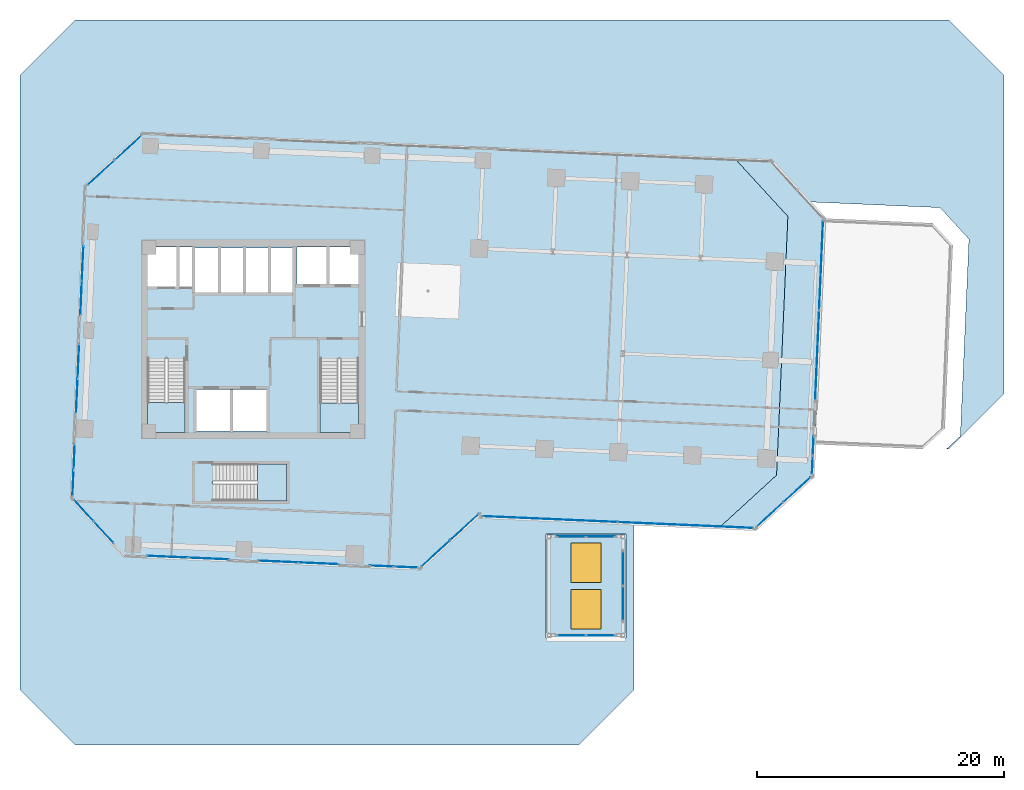
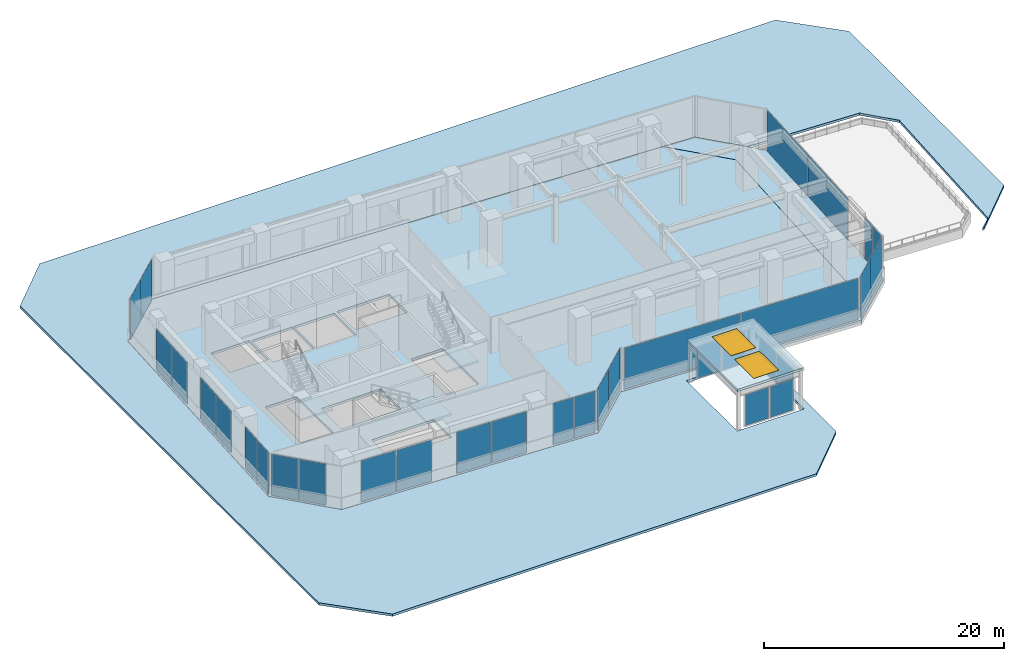
# One storey, part 25 of 33: 32 plates, 7 slabs, 2 windows, 2 openings, 19 elements without a shape of their own.
"""IFC4 building model written with IfcOpenShell, lengths in metres."""

from ifc_helpers import new_model, si_unit, direction, frame, origin, origin_2d, place, context, subcontext, project, spatial, polyline, rectangle, outline, extrude, source, transform, mapped, material, layer, layer_set, type_object, element, fill, aggregate, save


model = new_model("IFC4")

# Units and contexts
model_context = context("Model", 3, precision=1e-05, world=origin(), true_north=direction((0.0, 1.0)))
body_context = subcontext(model_context, "Body", "Model", "MODEL_VIEW")
ifc_project = project(units=[si_unit("LENGTHUNIT", "METRE"), si_unit("AREAUNIT", "SQUARE_METRE"), si_unit("VOLUMEUNIT", "CUBIC_METRE"), si_unit("PLANEANGLEUNIT", "RADIAN"), si_unit("MASSUNIT", "GRAM", prefix="KILO")], contexts=[model_context])

# Site, building, storey
site_placement = place(None, origin())
site = spatial("IfcSite", under=ifc_project, at=site_placement, CompositionType="ELEMENT")
building_placement = place(site_placement, origin())
building = spatial("IfcBuilding", under=site, at=building_placement, Name="Torre Montelarca", CompositionType="ELEMENT")
storey_placement = place(building_placement, frame((0.0, 0.0, 32.800048828125)))
storey = spatial("IfcBuildingStorey", under=building, at=storey_placement, Name="L07", CompositionType="ELEMENT", Elevation=32.800048828125)

# Slabs
ifc_material_1 = material(Name="Concrete C40/50", Category="concrete")
ifc_layer_1 = layer(ifc_material_1, 0.239990234375, Name="Concrete C40/50", Category="concrete")
ifc_layer_set_1 = layer_set([ifc_layer_1], Name="Concrete C40/50")
slab_type_1 = type_object("IfcSlabType", Name="SL-FLR-240", PredefinedType="FLOOR", material=ifc_layer_set_1)
slab_1_placement = place(storey_placement, frame((0.0, 0.0, -0.239990234375)))
element("IfcSlab", 1, at=slab_1_placement, inside=storey, type_object=slab_type_1, Name="L07 Structural Floor Slab", PredefinedType="FLOOR", context=body_context, shape_type="SweptSolid", body=[
    extrude(outline(polyline([(31.595703125, 13.341796875), (36.287841796875, 17.641357421875), (36.283447265625, 17.54150390625), (55.764892578125, 16.69091796875), (60.456787109375, 20.990234375), (61.372802734375, 41.97021484375), (57.073486328125, 46.662353515625), (9.019287109375, 48.760498046875), (4.3271484375, 44.4609375), (3.21923828125, 19.085205078125), (7.518798828125, 14.39306640625), (31.595703125, 13.341796875)]), holes=[polyline([(20.699951171875, 18.89990234375), (14.760009765625, 18.89990234375), (14.760009765625, 21.889892578125), (20.699951171875, 21.889892578125), (20.699951171875, 18.89990234375)]), polyline([(19.10009765625, 24.550048828125), (13.39990234375, 24.550048828125), (13.39990234375, 27.949951171875), (19.10009765625, 27.949951171875), (19.10009765625, 24.550048828125)]), polyline([(23.43994140625, 24.449951171875), (23.43994140625, 30.429931640625), (26.550048828125, 30.429931640625), (26.550048828125, 24.449951171875), (23.43994140625, 24.449951171875)]), polyline([(9.449951171875, 24.449951171875), (9.449951171875, 30.4599609375), (12.5, 30.4599609375), (12.5, 24.449951171875), (9.449951171875, 24.449951171875)]), polyline([(17.25, 35.800048828125), (13.300048828125, 35.800048828125), (13.300048828125, 39.39990234375), (17.25, 39.39990234375), (17.25, 35.800048828125)]), polyline([(21.25, 35.800048828125), (17.39990234375, 35.800048828125), (17.39990234375, 39.39990234375), (21.25, 39.39990234375), (21.25, 35.800048828125)]), polyline([(13.1201171875, 36.300048828125), (9.449951171875, 36.300048828125), (9.449951171875, 39.5), (13.1201171875, 39.5), (13.1201171875, 36.300048828125)]), polyline([(26.60009765625, 36.449951171875), (21.550048828125, 36.449951171875), (21.550048828125, 39.5), (26.60009765625, 39.5), (26.60009765625, 36.449951171875)])]), origin(), (0.0, 0.0, 1.0), 0.239990234375),
])
slab_2_placement = place(storey_placement, frame((0.0, 0.0, -0.239990234375)))
element("IfcSlab", 2, at=slab_2_placement, inside=storey, type_object=slab_type_1, Name="L07 Sliding Tray Winter Garden Floor Slab E1", PredefinedType="FLOOR", context=body_context, shape_type="SweptSolid", body=[
    extrude(outline(polyline([(57.073486328125, 46.662353515625), (61.372802734375, 41.97021484375), (60.456787109375, 20.990234375), (55.764892578125, 16.69091796875), (58.761962890625, 16.56005859375), (63.4541015625, 20.859375), (64.3701171875, 41.83935546875), (60.070556640625, 46.531494140625), (57.073486328125, 46.662353515625)])), origin(), (0.0, 0.0, 1.0), 0.239990234375),
])

# Slab, openings, windows
ifc_layer_2 = layer(ifc_material_1, 0.260009765625, Name="Concrete C40/50", Category="concrete")
ifc_layer_set_2 = layer_set([ifc_layer_2], Name="Concrete C40/50")
slab_type_2 = type_object("IfcSlabType", Name="SL-ROOF-260", PredefinedType="ROOF", material=ifc_layer_set_2)
slab_3_placement = place(storey_placement, frame((0.0, 0.0, 3.93994140625)))
slab_3 = element("IfcSlab", 3, at=slab_3_placement, inside=storey, type_object=slab_type_2, Name="L07 Exchange Trading Hall Atrium Lantern Roof Slab", PredefinedType="ROOF", context=body_context, shape_type="SweptSolid", body=[
    extrude(outline(polyline([(41.800048828125, 7.800048828125), (48.199951171875, 7.800048828125), (48.199951171875, 16.199951171875), (41.800048828125, 16.199951171875), (41.800048828125, 7.800048828125)])), origin(), (0.0, 0.0, 1.0), 0.260009765625),
])
opening_1_placement = place(slab_3_placement, frame((45.0, 10.10009765625, -0.010009765625)))
opening_1 = element("IfcOpeningElement", 4, at=opening_1_placement, cuts=slab_3, Name="Opening SK-01", PredefinedType="OPENING", context=body_context, shape_type="SweptSolid", body=[
    extrude(rectangle(XDim=2.39990234375, YDim=3.199951171875, at=origin_2d()), origin(), (0.0, 0.0, 1.0), 0.280029296875),
])
opening_2_placement = place(slab_3_placement, frame((45.0, 13.89990234375, -0.010009765625)))
opening_2 = element("IfcOpeningElement", 5, at=opening_2_placement, cuts=slab_3, Name="Opening SK-01", PredefinedType="OPENING", context=body_context, shape_type="SweptSolid", body=[
    extrude(rectangle(XDim=2.39990234375, YDim=3.199951171875, at=origin_2d()), origin(), (0.0, 0.0, 1.0), 0.280029296875),
])
ifc_material_2 = material(Name="Insulated low-E laminated glass in aluminium frame", Category="aluminium")
window_type = type_object("IfcWindowType", Name="WIN-SK1", PartitioningType="SINGLE_PANEL", PredefinedType="SKYLIGHT", material=ifc_material_2)
window_1_placement = place(slab_3_placement, frame((45.0, 10.10009765625, 0.2099609375)))
window_1 = element("IfcWindow", 6, at=window_1_placement, inside=storey, type_object=window_type, Name="Podium Exchange Atrium Skylight 01", OverallHeight=3.199951171875, OverallWidth=2.39990234375, PartitioningType="SINGLE_PANEL", PredefinedType="SKYLIGHT", context=body_context, shape_type="SweptSolid", body=[
    extrude(rectangle(XDim=2.39990234375, YDim=3.199951171875, at=origin_2d()), origin(), (0.0, 0.0, 1.0), 0.050048828125),
])
fill(opening_1, window_1)
window_2_placement = place(slab_3_placement, frame((45.0, 13.89990234375, 0.2099609375)))
window_2 = element("IfcWindow", 7, at=window_2_placement, inside=storey, type_object=window_type, Name="Podium Exchange Atrium Skylight 02", OverallHeight=3.199951171875, OverallWidth=2.39990234375, PartitioningType="SINGLE_PANEL", PredefinedType="SKYLIGHT", context=body_context, shape_type="SweptSolid", body=[
    extrude(rectangle(XDim=2.39990234375, YDim=3.199951171875, at=origin_2d()), origin(), (0.0, 0.0, 1.0), 0.050048828125),
])
fill(opening_2, window_2)

# Slab
ifc_material_3 = material(Name="Architectural concrete C40/50", Category="concrete")
ifc_layer_3 = layer(ifc_material_3, 0.239990234375, Name="Architectural concrete C40/50", Category="concrete")
ifc_layer_set_3 = layer_set([ifc_layer_3], Name="Architectural concrete C40/50")
slab_type_3 = type_object("IfcSlabType", Name="SL-ROOF-EXT-240", PredefinedType="ROOF", material=ifc_layer_set_3)
slab_4_placement = place(storey_placement, frame((0.0, 0.0, -0.239990234375)))
element("IfcSlab", 8, at=slab_4_placement, inside=storey, type_object=slab_type_3, Name="L06 Setback and Tray Overhang Roof Cap Slab 01", PredefinedType="ROOF", context=body_context, shape_type="SweptSolid", body=[
    extrude(outline(polyline([(36.275146484375, 17.53369140625), (36.279052734375, 17.622314453125), (31.598876953125, 13.333740234375), (7.514892578125, 14.38525390625), (3.211181640625, 19.08203125), (4.3193359375, 44.464599609375), (9.01611328125, 48.7685546875), (60.07421875, 46.539306640625), (63.18701171875, 43.142333984375), (73.71630859375, 42.6826171875), (76.056396484375, 40.128662109375), (75.3583984375, 24.142578125), (74.220703125, 23.10009765625), (74.39990234375, 23.10009765625), (78.89990234375, 27.60009765625), (78.89990234375, 53.39990234375), (74.39990234375, 57.89990234375), (3.60009765625, 57.89990234375), (-0.89990234375, 53.39990234375), (-0.89990234375, 3.60009765625), (3.60009765625, -0.89990234375), (44.39990234375, -0.89990234375), (48.89990234375, 3.60009765625), (48.89990234375, 16.982666015625), (36.275146484375, 17.53369140625)]), holes=[polyline([(41.77490234375, 7.77490234375), (41.77490234375, 16.22509765625), (48.22509765625, 16.22509765625), (48.22509765625, 7.77490234375), (41.77490234375, 7.77490234375)])]), origin(), (0.0, 0.0, 1.0), 0.239990234375),
])

# Stair, slab
stair_type_1 = type_object("IfcStairType", Name="ST-CORE-ST1", PredefinedType="HALF_TURN_STAIR", material=ifc_material_1)
stair_1_placement = place(storey_placement, origin())
stair_1 = element("IfcStair", 9, at=stair_1_placement, inside=storey, type_object=stair_type_1, Name="L07 Protected Exit Stair ST1", PredefinedType="HALF_TURN_STAIR")
ifc_layer_4 = layer(ifc_material_1, 0.199951171875, Name="Concrete C40/50", Category="concrete")
ifc_layer_set_4 = layer_set([ifc_layer_4], Name="Concrete C40/50")
slab_type_4 = type_object("IfcSlabType", Name="SL-ST-LAND-ST1", PredefinedType="LANDING", material=ifc_layer_set_4)
slab_5_placement = place(storey_placement, frame((0.0, 0.0, 2.199951171875)))
slab_5 = element("IfcSlab", 10, at=slab_5_placement, type_object=slab_type_4, Name="ST1 landing 1", PredefinedType="LANDING", context=body_context, shape_type="SweptSolid", body=[
    extrude(outline(polyline([(9.449951171875, 26.860107421875), (9.449951171875, 24.449951171875), (12.5, 24.449951171875), (12.5, 26.860107421875), (9.449951171875, 26.860107421875)])), origin(), (0.0, 0.0, 1.0), 0.199951171875),
])
aggregate(stair_1, [slab_5])

stair_type_2 = type_object("IfcStairType", Name="ST-CORE-ST2", PredefinedType="HALF_TURN_STAIR", material=ifc_material_1)
stair_2_placement = place(storey_placement, origin())
stair_2 = element("IfcStair", 11, at=stair_2_placement, inside=storey, type_object=stair_type_2, Name="L07 Protected Exit Stair ST2", PredefinedType="HALF_TURN_STAIR")
ifc_layer_5 = layer(ifc_material_1, 0.199951171875, Name="Concrete C40/50", Category="concrete")
ifc_layer_set_5 = layer_set([ifc_layer_5], Name="Concrete C40/50")
slab_type_5 = type_object("IfcSlabType", Name="SL-ST-LAND-ST2", PredefinedType="LANDING", material=ifc_layer_set_5)
slab_6_placement = place(storey_placement, frame((0.0, 0.0, 2.199951171875)))
slab_6 = element("IfcSlab", 12, at=slab_6_placement, type_object=slab_type_5, Name="ST2 landing 1", PredefinedType="LANDING", context=body_context, shape_type="SweptSolid", body=[
    extrude(outline(polyline([(23.43994140625, 26.830078125), (23.43994140625, 24.449951171875), (26.550048828125, 24.449951171875), (26.550048828125, 26.830078125), (23.43994140625, 26.830078125)])), origin(), (0.0, 0.0, 1.0), 0.199951171875),
])
aggregate(stair_2, [slab_6])

stair_type_3 = type_object("IfcStairType", Name="ST-CORE-ST3", PredefinedType="HALF_TURN_STAIR", material=ifc_material_1)
stair_3_placement = place(storey_placement, origin())
stair_3 = element("IfcStair", 13, at=stair_3_placement, inside=storey, type_object=stair_type_3, Name="L07 Low-Rise Exit Stair ST3", PredefinedType="HALF_TURN_STAIR")
ifc_layer_6 = layer(ifc_material_1, 0.199951171875, Name="Concrete C40/50", Category="concrete")
ifc_layer_set_6 = layer_set([ifc_layer_6], Name="Concrete C40/50")
slab_type_6 = type_object("IfcSlabType", Name="SL-ST-LAND-ST3", PredefinedType="LANDING", material=ifc_layer_set_6)
slab_7_placement = place(storey_placement, frame((0.0, 0.0, 2.199951171875)))
slab_7 = element("IfcSlab", 14, at=slab_7_placement, type_object=slab_type_6, Name="ST3 landing 1", PredefinedType="LANDING", context=body_context, shape_type="SweptSolid", body=[
    extrude(outline(polyline([(18.360107421875, 18.89990234375), (20.699951171875, 18.89990234375), (20.699951171875, 21.889892578125), (18.360107421875, 21.889892578125), (18.360107421875, 18.89990234375)])), origin(), (0.0, 0.0, 1.0), 0.199951171875),
])
aggregate(stair_3, [slab_7])

# Curtain wall, plates
ifc_material_4 = material(Name="Insulated low-E laminated glass", Category="glass")
curtain_wall_type_1 = type_object("IfcCurtainWallType", Name="CW-SYS-Z1", PredefinedType="USERDEFINED", material=ifc_material_4)
curtain_wall_1_placement = place(storey_placement, origin())
curtain_wall_1 = element("IfcCurtainWall", 15, at=curtain_wall_1_placement, inside=storey, type_object=curtain_wall_type_1, Name="L07 Curtain Wall Run CW-T3-L07-E01-B1", ObjectType="UNITISED GLAZING", PredefinedType="USERDEFINED")
ifc_layer_7 = layer(ifc_material_4, 0.028076171875, Name="Insulated low-E laminated glass", Category="glass")
ifc_layer_set_7 = layer_set([ifc_layer_7], Name="Insulated low-E laminated glass")
plate_type_1 = type_object("IfcPlateType", Name="CWP-GLZ-28", PredefinedType="CURTAIN_PANEL", material=ifc_layer_set_7)
shared_shape_1 = source(origin(), body_context, "Body", "SweptSolid", [
    extrude(rectangle(XDim=3.2724609375, YDim=0.028076171875, at=origin_2d()), origin(), (0.0, 0.0, 1.0), 4.18994140625),
])
plate_1_placement = place(storey_placement, frame((11.05224609375, 14.368896484375, 0.06494140625), z_axis=(0.0, 0.0, 1.0), x_axis=(0.999047544682, -0.043634888151, 0.0)))
plate_1 = element("IfcPlate", 16, at=plate_1_placement, type_object=plate_type_1, Name="CW panel 1.1", PredefinedType="CURTAIN_PANEL", context=body_context, shape_type="MappedRepresentation", body=[
    mapped(shared_shape_1, transform((0.0, 0.0, 0.0), scale=1.0)),
])
plate_2_placement = place(storey_placement, frame((14.386474609375, 14.223388671875, 0.06494140625), z_axis=(0.0, 0.0, 1.0), x_axis=(0.999047544682, -0.043634888151, 0.0)))
plate_2 = element("IfcPlate", 17, at=plate_2_placement, type_object=plate_type_1, Name="CW panel 2.1", PredefinedType="CURTAIN_PANEL", context=body_context, shape_type="MappedRepresentation", body=[
    mapped(shared_shape_1, transform((0.0, 0.0, 0.0), scale=1.0)),
])
aggregate(curtain_wall_1, [plate_1, plate_2])

curtain_wall_2_placement = place(storey_placement, origin())
curtain_wall_2 = element("IfcCurtainWall", 18, at=curtain_wall_2_placement, inside=storey, type_object=curtain_wall_type_1, Name="L07 Curtain Wall Run CW-T3-L07-E01-B2", ObjectType="UNITISED GLAZING", PredefinedType="USERDEFINED")
shared_shape_2 = source(origin(), body_context, "Body", "SweptSolid", [
    extrude(rectangle(XDim=3.23486328125, YDim=0.028076171875, at=origin_2d()), origin(), (0.0, 0.0, 1.0), 4.18994140625),
])
plate_3_placement = place(storey_placement, frame((20.02490234375, 13.977294921875, 0.06494140625), z_axis=(0.0, 0.0, 1.0), x_axis=(0.999047703375, -0.043631254645, 0.0)))
plate_3 = element("IfcPlate", 19, at=plate_3_placement, type_object=plate_type_1, Name="CW panel 1.1", PredefinedType="CURTAIN_PANEL", context=body_context, shape_type="MappedRepresentation", body=[
    mapped(shared_shape_2, transform((0.0, 0.0, 0.0), scale=1.0)),
])
plate_4_placement = place(storey_placement, frame((23.32177734375, 13.833251953125, 0.06494140625), z_axis=(0.0, 0.0, 1.0), x_axis=(0.999047703375, -0.043631254645, 0.0)))
plate_4 = element("IfcPlate", 20, at=plate_4_placement, type_object=plate_type_1, Name="CW panel 2.1", PredefinedType="CURTAIN_PANEL", context=body_context, shape_type="MappedRepresentation", body=[
    mapped(shared_shape_2, transform((0.0, 0.0, 0.0), scale=1.0)),
])
aggregate(curtain_wall_2, [plate_3, plate_4])

curtain_wall_3_placement = place(storey_placement, origin())
curtain_wall_3 = element("IfcCurtainWall", 21, at=curtain_wall_3_placement, inside=storey, type_object=curtain_wall_type_1, Name="L07 Curtain Wall Run CW-T3-L07-E01-B3", ObjectType="UNITISED GLAZING", PredefinedType="USERDEFINED")
shared_shape_3 = source(origin(), body_context, "Body", "SweptSolid", [
    extrude(rectangle(XDim=1.917236328125, YDim=0.028076171875, at=origin_2d()), origin(), (0.0, 0.0, 1.0), 4.18994140625),
])
plate_5_placement = place(storey_placement, frame((28.43310546875, 13.610107421875, 0.06494140625), z_axis=(0.0, 0.0, 1.0), x_axis=(0.999048792113, -0.043606318081, 0.0)))
plate_5 = element("IfcPlate", 22, at=plate_5_placement, type_object=plate_type_1, Name="CW panel 1.1", PredefinedType="CURTAIN_PANEL", context=body_context, shape_type="MappedRepresentation", body=[
    mapped(shared_shape_3, transform((0.0, 0.0, 0.0), scale=1.0)),
])
plate_6_placement = place(storey_placement, frame((30.413330078125, 13.523681640625, 0.06494140625), z_axis=(0.0, 0.0, 1.0), x_axis=(0.999048792113, -0.043606318081, 0.0)))
plate_6 = element("IfcPlate", 23, at=plate_6_placement, type_object=plate_type_1, Name="CW panel 2.1", PredefinedType="CURTAIN_PANEL", context=body_context, shape_type="MappedRepresentation", body=[
    mapped(shared_shape_3, transform((0.0, 0.0, 0.0), scale=1.0)),
])
aggregate(curtain_wall_3, [plate_5, plate_6])

curtain_wall_4_placement = place(storey_placement, origin())
curtain_wall_4 = element("IfcCurtainWall", 24, at=curtain_wall_4_placement, inside=storey, type_object=curtain_wall_type_1, Name="L07 Curtain Wall Run CW-T3-L07-E02-B1", ObjectType="UNITISED GLAZING", PredefinedType="USERDEFINED")
shared_shape_4 = source(origin(), body_context, "Body", "SweptSolid", [
    extrude(rectangle(XDim=3.1025390625, YDim=0.028076171875, at=origin_2d()), origin(), (0.0, 0.0, 1.0), 4.18994140625),
])
plate_7_placement = place(storey_placement, frame((32.82177734375, 14.641845703125, 0.06494140625), z_axis=(0.0, 0.0, 1.0), x_axis=(0.737291621042, 0.675574618781, 0.0)))
plate_7 = element("IfcPlate", 25, at=plate_7_placement, type_object=plate_type_1, Name="CW panel 1.1", PredefinedType="CURTAIN_PANEL", context=body_context, shape_type="MappedRepresentation", body=[
    mapped(shared_shape_4, transform((0.0, 0.0, 0.0), scale=1.0)),
])
plate_8_placement = place(storey_placement, frame((35.1572265625, 16.78173828125, 0.06494140625), z_axis=(0.0, 0.0, 1.0), x_axis=(0.737291621042, 0.675574618781, 0.0)))
plate_8 = element("IfcPlate", 26, at=plate_8_placement, type_object=plate_type_1, Name="CW panel 2.1", PredefinedType="CURTAIN_PANEL", context=body_context, shape_type="MappedRepresentation", body=[
    mapped(shared_shape_4, transform((0.0, 0.0, 0.0), scale=1.0)),
])
aggregate(curtain_wall_4, [plate_7, plate_8])

curtain_wall_5_placement = place(storey_placement, origin())
curtain_wall_5 = element("IfcCurtainWall", 27, at=curtain_wall_5_placement, inside=storey, type_object=curtain_wall_type_1, Name="L07 Curtain Wall Run CW-T3-L07-E04-B1", ObjectType="UNITISED GLAZING", PredefinedType="USERDEFINED")
shared_shape_5 = source(origin(), body_context, "Body", "SweptSolid", [
    extrude(rectangle(XDim=10.948486328125, YDim=0.028076171875, at=origin_2d()), origin(), (0.0, 0.0, 1.0), 4.18994140625),
])
plate_9_placement = place(storey_placement, frame((42.06494140625, 17.419189453125, 0.06494140625), z_axis=(0.0, 0.0, 1.0), x_axis=(0.999048310418, -0.043617352644, 0.0)))
plate_9 = element("IfcPlate", 28, at=plate_9_placement, type_object=plate_type_1, Name="CW panel 1.1", PredefinedType="CURTAIN_PANEL", context=body_context, shape_type="MappedRepresentation", body=[
    mapped(shared_shape_5, transform((0.0, 0.0, 0.0), scale=1.0)),
])
plate_10_placement = place(storey_placement, frame((53.06787109375, 16.938720703125, 0.06494140625), z_axis=(0.0, 0.0, 1.0), x_axis=(0.999048310418, -0.043617352644, 0.0)))
plate_10 = element("IfcPlate", 29, at=plate_10_placement, type_object=plate_type_1, Name="CW panel 2.1", PredefinedType="CURTAIN_PANEL", context=body_context, shape_type="MappedRepresentation", body=[
    mapped(shared_shape_5, transform((0.0, 0.0, 0.0), scale=1.0)),
])
aggregate(curtain_wall_5, [plate_9, plate_10])

curtain_wall_6_placement = place(storey_placement, origin())
curtain_wall_6 = element("IfcCurtainWall", 30, at=curtain_wall_6_placement, inside=storey, type_object=curtain_wall_type_1, Name="L07 Curtain Wall Run CW-T3-L07-E05-B1", ObjectType="UNITISED GLAZING", PredefinedType="USERDEFINED")
shared_shape_6 = source(origin(), body_context, "Body", "SweptSolid", [
    extrude(rectangle(XDim=2.918701171875, YDim=0.028076171875, at=origin_2d()), origin(), (0.0, 0.0, 1.0), 4.18994140625),
])
plate_11_placement = place(storey_placement, frame((59.920166015625, 17.797607421875, 0.06494140625), z_axis=(0.0, 0.0, 1.0), x_axis=(0.737291747736, 0.675574480513, 0.0)))
plate_11 = element("IfcPlate", 31, at=plate_11_placement, type_object=plate_type_1, Name="CW panel 1.1", PredefinedType="CURTAIN_PANEL", context=body_context, shape_type="MappedRepresentation", body=[
    mapped(shared_shape_6, transform((0.0, 0.0, 0.0), scale=1.0)),
])
plate_12_placement = place(storey_placement, frame((62.1201171875, 19.8134765625, 0.06494140625), z_axis=(0.0, 0.0, 1.0), x_axis=(0.737291747736, 0.675574480513, 0.0)))
plate_12 = element("IfcPlate", 32, at=plate_12_placement, type_object=plate_type_1, Name="CW panel 2.1", PredefinedType="CURTAIN_PANEL", context=body_context, shape_type="MappedRepresentation", body=[
    mapped(shared_shape_6, transform((0.0, 0.0, 0.0), scale=1.0)),
])
aggregate(curtain_wall_6, [plate_11, plate_12])

curtain_wall_7_placement = place(storey_placement, origin())
curtain_wall_7 = element("IfcCurtainWall", 33, at=curtain_wall_7_placement, inside=storey, type_object=curtain_wall_type_1, Name="L07 Curtain Wall Run CW-T3-L07-E09-B1", ObjectType="UNITISED GLAZING", PredefinedType="USERDEFINED")
plate_13_placement = place(storey_placement, frame((7.86083984375, 47.522705078125, 0.06494140625), z_axis=(0.0, 0.0, 1.0), x_axis=(-0.737283490692, -0.67558349177, 0.0)))
plate_13 = element("IfcPlate", 34, at=plate_13_placement, type_object=plate_type_1, Name="CW panel 1.1", PredefinedType="CURTAIN_PANEL", context=body_context, shape_type="MappedRepresentation", body=[
    mapped(shared_shape_6, transform((0.0, 0.0, 0.0), scale=1.0)),
])
plate_14_placement = place(storey_placement, frame((5.6611328125, 45.5068359375, 0.06494140625), z_axis=(0.0, 0.0, 1.0), x_axis=(-0.737283490692, -0.67558349177, 0.0)))
plate_14 = element("IfcPlate", 35, at=plate_14_placement, type_object=plate_type_1, Name="CW panel 2.1", PredefinedType="CURTAIN_PANEL", context=body_context, shape_type="MappedRepresentation", body=[
    mapped(shared_shape_6, transform((0.0, 0.0, 0.0), scale=1.0)),
])
aggregate(curtain_wall_7, [plate_13, plate_14])

curtain_wall_8_placement = place(storey_placement, origin())
curtain_wall_8 = element("IfcCurtainWall", 36, at=curtain_wall_8_placement, inside=storey, type_object=curtain_wall_type_1, Name="L07 Curtain Wall Run CW-T3-L07-E06-B1", ObjectType="UNITISED GLAZING", PredefinedType="USERDEFINED")
shared_shape_7 = source(origin(), body_context, "Body", "SweptSolid", [
    extrude(rectangle(XDim=1.46240234375, YDim=0.028076171875, at=origin_2d()), origin(), (0.0, 0.0, 1.0), 4.18994140625),
])
plate_15_placement = place(storey_placement, frame((63.3662109375, 21.826171875, 0.06494140625), z_axis=(0.0, 0.0, 1.0), x_axis=(0.043622215647, 0.999048098092, 0.0)))
plate_15 = element("IfcPlate", 37, at=plate_15_placement, type_object=plate_type_1, Name="CW panel 1.1", PredefinedType="CURTAIN_PANEL", context=body_context, shape_type="MappedRepresentation", body=[
    mapped(shared_shape_7, transform((0.0, 0.0, 0.0), scale=1.0)),
])
plate_16_placement = place(storey_placement, frame((63.432861328125, 23.352294921875, 0.06494140625), z_axis=(0.0, 0.0, 1.0), x_axis=(0.043622215647, 0.999048098092, 0.0)))
plate_16 = element("IfcPlate", 38, at=plate_16_placement, type_object=plate_type_1, Name="CW panel 2.1", PredefinedType="CURTAIN_PANEL", context=body_context, shape_type="MappedRepresentation", body=[
    mapped(shared_shape_7, transform((0.0, 0.0, 0.0), scale=1.0)),
])
aggregate(curtain_wall_8, [plate_15, plate_16])

curtain_wall_9_placement = place(storey_placement, origin())
curtain_wall_9 = element("IfcCurtainWall", 39, at=curtain_wall_9_placement, inside=storey, type_object=curtain_wall_type_1, Name="L07 Curtain Wall Run CW-T3-L07-E06-B2", ObjectType="UNITISED GLAZING", PredefinedType="USERDEFINED")
shared_shape_8 = source(origin(), body_context, "Body", "SweptSolid", [
    extrude(rectangle(XDim=7.24658203125, YDim=0.028076171875, at=origin_2d()), origin(), (0.0, 0.0, 1.0), 4.18994140625),
])
plate_17_placement = place(storey_placement, frame((63.753173828125, 30.68994140625, 0.06494140625), z_axis=(0.0, 0.0, 1.0), x_axis=(0.043619810397, 0.999048203112, 0.0)))
plate_17 = element("IfcPlate", 40, at=plate_17_placement, type_object=plate_type_1, Name="CW panel 1.1", PredefinedType="CURTAIN_PANEL", context=body_context, shape_type="MappedRepresentation", body=[
    mapped(shared_shape_8, transform((0.0, 0.0, 0.0), scale=1.0)),
])
plate_18_placement = place(storey_placement, frame((64.072021484375, 37.99462890625, 0.06494140625), z_axis=(0.0, 0.0, 1.0), x_axis=(0.043619810397, 0.999048203112, 0.0)))
plate_18 = element("IfcPlate", 41, at=plate_18_placement, type_object=plate_type_1, Name="CW panel 2.1", PredefinedType="CURTAIN_PANEL", context=body_context, shape_type="MappedRepresentation", body=[
    mapped(shared_shape_8, transform((0.0, 0.0, 0.0), scale=1.0)),
])
aggregate(curtain_wall_9, [plate_17, plate_18])

curtain_wall_10_placement = place(storey_placement, origin())
curtain_wall_10 = element("IfcCurtainWall", 42, at=curtain_wall_10_placement, inside=storey, type_object=curtain_wall_type_1, Name="L07 Curtain Wall Run CW-T3-L07-E10-B1", ObjectType="UNITISED GLAZING", PredefinedType="USERDEFINED")
shared_shape_9 = source(origin(), body_context, "Body", "SweptSolid", [
    extrude(rectangle(XDim=2.7724609375, YDim=0.028076171875, at=origin_2d()), origin(), (0.0, 0.0, 1.0), 4.18994140625),
])
plate_19_placement = place(storey_placement, frame((4.18310546875, 38.179931640625, 0.06494140625), z_axis=(0.0, 0.0, 1.0), x_axis=(-0.043623205266, -0.999048054881, 0.0)))
plate_19 = element("IfcPlate", 43, at=plate_19_placement, type_object=plate_type_1, Name="CW panel 1.1", PredefinedType="CURTAIN_PANEL", context=body_context, shape_type="MappedRepresentation", body=[
    mapped(shared_shape_9, transform((0.0, 0.0, 0.0), scale=1.0)),
])
plate_20_placement = place(storey_placement, frame((4.059326171875, 35.34521484375, 0.06494140625), z_axis=(0.0, 0.0, 1.0), x_axis=(-0.043623205266, -0.999048054881, 0.0)))
plate_20 = element("IfcPlate", 44, at=plate_20_placement, type_object=plate_type_1, Name="CW panel 2.1", PredefinedType="CURTAIN_PANEL", context=body_context, shape_type="MappedRepresentation", body=[
    mapped(shared_shape_9, transform((0.0, 0.0, 0.0), scale=1.0)),
])
aggregate(curtain_wall_10, [plate_19, plate_20])

curtain_wall_11_placement = place(storey_placement, origin())
curtain_wall_11 = element("IfcCurtainWall", 45, at=curtain_wall_11_placement, inside=storey, type_object=curtain_wall_type_1, Name="L07 Curtain Wall Run CW-T3-L07-E10-B2", ObjectType="UNITISED GLAZING", PredefinedType="USERDEFINED")
shared_shape_10 = source(origin(), body_context, "Body", "SweptSolid", [
    extrude(rectangle(XDim=2.735107421875, YDim=0.028076171875, at=origin_2d()), origin(), (0.0, 0.0, 1.0), 4.18994140625),
])
plate_21_placement = place(storey_placement, frame((3.8349609375, 30.206298828125, 0.06494140625), z_axis=(0.0, 0.0, 1.0), x_axis=(-0.043618775565, -0.999048248293, 0.0)))
plate_21 = element("IfcPlate", 46, at=plate_21_placement, type_object=plate_type_1, Name="CW panel 1.1", PredefinedType="CURTAIN_PANEL", context=body_context, shape_type="MappedRepresentation", body=[
    mapped(shared_shape_10, transform((0.0, 0.0, 0.0), scale=1.0)),
])
plate_22_placement = place(storey_placement, frame((3.712890625, 27.408935546875, 0.06494140625), z_axis=(0.0, 0.0, 1.0), x_axis=(-0.043618775565, -0.999048248293, 0.0)))
plate_22 = element("IfcPlate", 47, at=plate_22_placement, type_object=plate_type_1, Name="CW panel 2.1", PredefinedType="CURTAIN_PANEL", context=body_context, shape_type="MappedRepresentation", body=[
    mapped(shared_shape_10, transform((0.0, 0.0, 0.0), scale=1.0)),
])
aggregate(curtain_wall_11, [plate_21, plate_22])

curtain_wall_12_placement = place(storey_placement, origin())
curtain_wall_12 = element("IfcCurtainWall", 48, at=curtain_wall_12_placement, inside=storey, type_object=curtain_wall_type_1, Name="L07 Curtain Wall Run CW-T3-L07-E10-B3", ObjectType="UNITISED GLAZING", PredefinedType="USERDEFINED")
shared_shape_11 = source(origin(), body_context, "Body", "SweptSolid", [
    extrude(rectangle(XDim=2.067138671875, YDim=0.028076171875, at=origin_2d()), origin(), (0.0, 0.0, 1.0), 4.18994140625),
])
plate_23_placement = place(storey_placement, frame((3.497314453125, 22.47265625, 0.06494140625), z_axis=(0.0, 0.0, 1.0), x_axis=(-0.043610639363, -0.999048603489, 0.0)))
plate_23 = element("IfcPlate", 49, at=plate_23_placement, type_object=plate_type_1, Name="CW panel 1.1", PredefinedType="CURTAIN_PANEL", context=body_context, shape_type="MappedRepresentation", body=[
    mapped(shared_shape_11, transform((0.0, 0.0, 0.0), scale=1.0)),
])
plate_24_placement = place(storey_placement, frame((3.404296875, 20.342529296875, 0.06494140625), z_axis=(0.0, 0.0, 1.0), x_axis=(-0.043610639363, -0.999048603489, 0.0)))
plate_24 = element("IfcPlate", 50, at=plate_24_placement, type_object=plate_type_1, Name="CW panel 2.1", PredefinedType="CURTAIN_PANEL", context=body_context, shape_type="MappedRepresentation", body=[
    mapped(shared_shape_11, transform((0.0, 0.0, 0.0), scale=1.0)),
])
aggregate(curtain_wall_12, [plate_23, plate_24])

curtain_wall_13_placement = place(storey_placement, origin())
curtain_wall_13 = element("IfcCurtainWall", 51, at=curtain_wall_13_placement, inside=storey, type_object=curtain_wall_type_1, Name="L07 Curtain Wall Run CW-T3-L07-E11-B1", ObjectType="UNITISED GLAZING", PredefinedType="USERDEFINED")
shared_shape_12 = source(origin(), body_context, "Body", "SweptSolid", [
    extrude(rectangle(XDim=2.33056640625, YDim=0.028076171875, at=origin_2d()), origin(), (0.0, 0.0, 1.0), 4.18994140625),
])
plate_25_placement = place(storey_placement, frame((4.25830078125, 18.1435546875, 0.06494140625), z_axis=(0.0, 0.0, 1.0), x_axis=(0.675584737137, -0.737282349543, 0.0)))
plate_25 = element("IfcPlate", 52, at=plate_25_placement, type_object=plate_type_1, Name="CW panel 1.1", PredefinedType="CURTAIN_PANEL", context=body_context, shape_type="MappedRepresentation", body=[
    mapped(shared_shape_12, transform((0.0, 0.0, 0.0), scale=1.0)),
])
plate_26_placement = place(storey_placement, frame((5.876708984375, 16.37744140625, 0.06494140625), z_axis=(0.0, 0.0, 1.0), x_axis=(0.675584737137, -0.737282349543, 0.0)))
plate_26 = element("IfcPlate", 53, at=plate_26_placement, type_object=plate_type_1, Name="CW panel 2.1", PredefinedType="CURTAIN_PANEL", context=body_context, shape_type="MappedRepresentation", body=[
    mapped(shared_shape_12, transform((0.0, 0.0, 0.0), scale=1.0)),
])
aggregate(curtain_wall_13, [plate_25, plate_26])

ifc_material_5 = material(Name="Amber translucent laminated glass", Category="glass")
curtain_wall_type_2 = type_object("IfcCurtainWallType", Name="CW-SYS-LANT", PredefinedType="USERDEFINED", material=ifc_material_5)
curtain_wall_14_placement = place(storey_placement, origin())
curtain_wall_14 = element("IfcCurtainWall", 54, at=curtain_wall_14_placement, inside=storey, type_object=curtain_wall_type_2, Name="L07 Exchange Atrium Lantern Clerestory S", ObjectType="TRANSLUCENT LANTERN", PredefinedType="USERDEFINED")
ifc_layer_8 = layer(ifc_material_5, 0.0400390625, Name="Amber translucent laminated glass", Category="glass")
ifc_layer_set_8 = layer_set([ifc_layer_8], Name="Amber translucent laminated glass")
plate_type_2 = type_object("IfcPlateType", Name="CWP-LANT-40", PredefinedType="CURTAIN_PANEL", material=ifc_layer_set_8)
shared_shape_13 = source(origin(), body_context, "Body", "SweptSolid", [
    extrude(rectangle(XDim=2.280029296875, YDim=0.0400390625, at=origin_2d()), origin(), (0.0, 0.0, 1.0), 3.14990234375),
])
plate_27_placement = place(storey_placement, frame((43.820068359375, 8.0, 0.074951171875), z_axis=(0.0, 0.0, 1.0), x_axis=(1.0, 0.0, 0.0)))
plate_27 = element("IfcPlate", 55, at=plate_27_placement, type_object=plate_type_2, Name="CW panel 1.1", PredefinedType="CURTAIN_PANEL", context=body_context, shape_type="MappedRepresentation", body=[
    mapped(shared_shape_13, transform((0.0, 0.0, 0.0), scale=1.0)),
])
plate_28_placement = place(storey_placement, frame((46.179931640625, 8.0, 0.074951171875), z_axis=(0.0, 0.0, 1.0), x_axis=(1.0, 0.0, 0.0)))
plate_28 = element("IfcPlate", 56, at=plate_28_placement, type_object=plate_type_2, Name="CW panel 2.1", PredefinedType="CURTAIN_PANEL", context=body_context, shape_type="MappedRepresentation", body=[
    mapped(shared_shape_13, transform((0.0, 0.0, 0.0), scale=1.0)),
])
aggregate(curtain_wall_14, [plate_27, plate_28])

curtain_wall_15_placement = place(storey_placement, origin())
curtain_wall_15 = element("IfcCurtainWall", 57, at=curtain_wall_15_placement, inside=storey, type_object=curtain_wall_type_2, Name="L07 Exchange Atrium Lantern Clerestory N", ObjectType="TRANSLUCENT LANTERN", PredefinedType="USERDEFINED")
plate_29_placement = place(storey_placement, frame((46.179931640625, 16.0, 0.074951171875), z_axis=(0.0, 0.0, 1.0), x_axis=(-1.0, 0.0, 0.0)))
plate_29 = element("IfcPlate", 58, at=plate_29_placement, type_object=plate_type_2, Name="CW panel 1.1", PredefinedType="CURTAIN_PANEL", context=body_context, shape_type="MappedRepresentation", body=[
    mapped(shared_shape_13, transform((0.0, 0.0, 0.0), scale=1.0)),
])
plate_30_placement = place(storey_placement, frame((43.820068359375, 16.0, 0.074951171875), z_axis=(0.0, 0.0, 1.0), x_axis=(-1.0, 0.0, 0.0)))
plate_30 = element("IfcPlate", 59, at=plate_30_placement, type_object=plate_type_2, Name="CW panel 2.1", PredefinedType="CURTAIN_PANEL", context=body_context, shape_type="MappedRepresentation", body=[
    mapped(shared_shape_13, transform((0.0, 0.0, 0.0), scale=1.0)),
])
aggregate(curtain_wall_15, [plate_29, plate_30])

curtain_wall_16_placement = place(storey_placement, origin())
curtain_wall_16 = element("IfcCurtainWall", 60, at=curtain_wall_16_placement, inside=storey, type_object=curtain_wall_type_2, Name="L07 Exchange Atrium Lantern Clerestory E", ObjectType="TRANSLUCENT LANTERN", PredefinedType="USERDEFINED")
shared_shape_14 = source(origin(), body_context, "Body", "SweptSolid", [
    extrude(rectangle(XDim=2.780029296875, YDim=0.0400390625, at=origin_2d()), origin(), (0.0, 0.0, 1.0), 3.14990234375),
])
plate_31_placement = place(storey_placement, frame((48.0, 10.570068359375, 0.074951171875), z_axis=(0.0, 0.0, 1.0), x_axis=(0.0, 1.0, 0.0)))
plate_31 = element("IfcPlate", 61, at=plate_31_placement, type_object=plate_type_2, Name="CW panel 1.1", PredefinedType="CURTAIN_PANEL", context=body_context, shape_type="MappedRepresentation", body=[
    mapped(shared_shape_14, transform((0.0, 0.0, 0.0), scale=1.0)),
])
plate_32_placement = place(storey_placement, frame((48.0, 13.429931640625, 0.074951171875), z_axis=(0.0, 0.0, 1.0), x_axis=(0.0, 1.0, 0.0)))
plate_32 = element("IfcPlate", 62, at=plate_32_placement, type_object=plate_type_2, Name="CW panel 2.1", PredefinedType="CURTAIN_PANEL", context=body_context, shape_type="MappedRepresentation", body=[
    mapped(shared_shape_14, transform((0.0, 0.0, 0.0), scale=1.0)),
])
aggregate(curtain_wall_16, [plate_31, plate_32])

save(model, "model.ifc")
